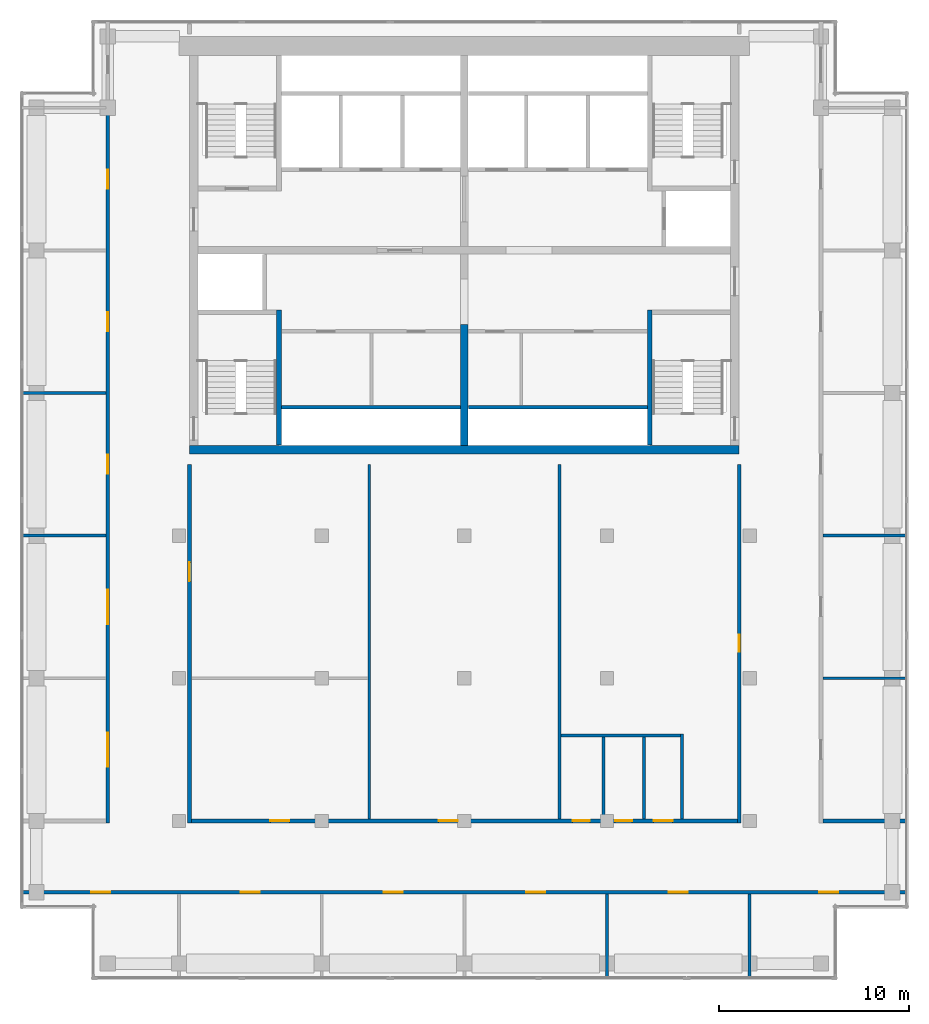
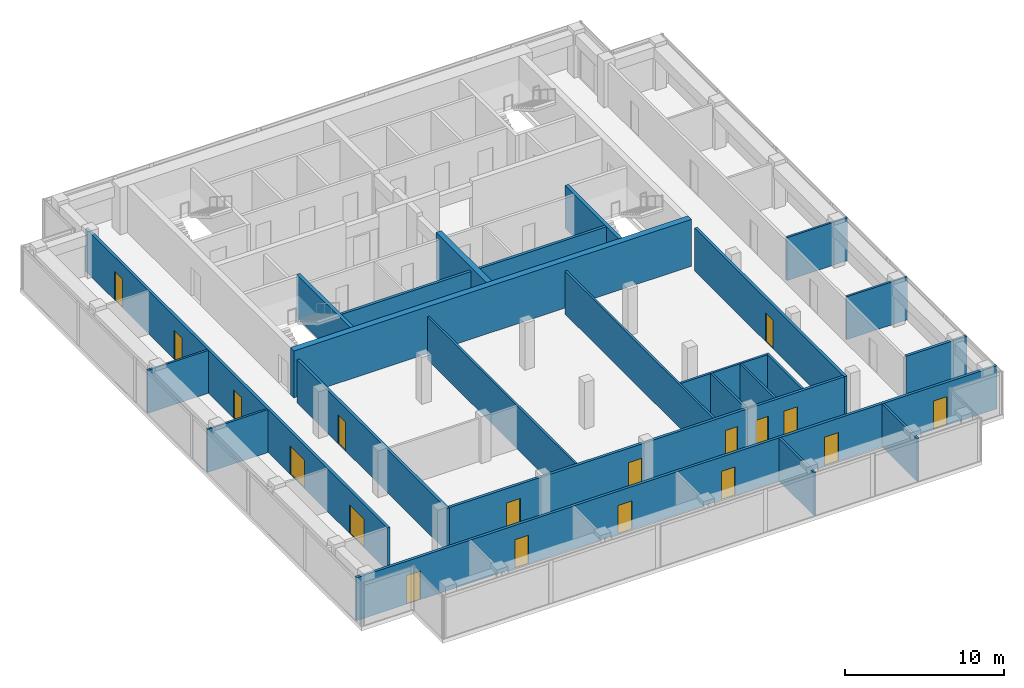
# One storey, part 6 of 9: 24 walls, 18 doors, 18 openings.
"""IFC4 building model written with IfcOpenShell, lengths in metres."""

from ifc_helpers import new_model, si_unit, direction, frame, frame_2d, origin, place, context, subcontext, project, spatial, rectangle, extrude, material, layer, layer_set, type_object, element, fill, save


model = new_model("IFC4")

# Units and contexts
model_context = context("Model", 3, precision=1e-05, world=origin(), true_north=direction((0.0, 1.0)))
body_context = subcontext(model_context, "Body", "Model", "MODEL_VIEW")
ifc_project = project(units=[si_unit("LENGTHUNIT", "METRE"), si_unit("AREAUNIT", "SQUARE_METRE"), si_unit("VOLUMEUNIT", "CUBIC_METRE"), si_unit("PLANEANGLEUNIT", "RADIAN"), si_unit("MASSUNIT", "GRAM", prefix="KILO")], contexts=[model_context])

# Site, building, storey
site_placement = place(None, origin())
site = spatial("IfcSite", under=ifc_project, at=site_placement, CompositionType="ELEMENT")
building_placement = place(site_placement, origin())
building = spatial("IfcBuilding", under=site, at=building_placement, Name="Pilkhan Gate Tower", CompositionType="ELEMENT")
storey_placement = place(building_placement, frame((0.0, 0.0, 262.10009765625)))
storey = spatial("IfcBuildingStorey", under=building, at=storey_placement, Name="L68", CompositionType="ELEMENT", Elevation=262.10009765625)

# Wall
ifc_material_1 = material(Name="Concrete C50/60", Category="concrete")
ifc_layer_1 = layer(ifc_material_1, 0.449951171875)
ifc_layer_set_1 = layer_set([ifc_layer_1], Name="Core wall CW450 C50/60")
wall_type_1 = type_object("IfcWallType", Name="Core wall CW450 C50/60", PredefinedType="SHEAR", material=ifc_layer_set_1)
wall_1_placement = place(storey_placement, frame((60.550048828125, 72.02490234375, 0.0), z_axis=(0.0, 0.0, 1.0), x_axis=(1.0, 0.0, 0.0)))
element("IfcWall", 1, at=wall_1_placement, inside=storey, type_object=wall_type_1, Name="Core wall S L68", PredefinedType="SHEAR", context=body_context, shape_type="SweptSolid", body=[
    extrude(rectangle(XDim=28.89990234375, YDim=0.449951171875, at=frame_2d((14.449951171875, 0.0))), origin(), (0.0, 0.0, 1.0), 3.599853515625),
])

# Wall, openings, doors
ifc_material_2 = material(Name="Dense blockwork", Category="masonry")
ifc_layer_2 = layer(ifc_material_2, 0.199951171875)
ifc_layer_set_2 = layer_set([ifc_layer_2], Name="Corridor wall FW200")
wall_type_2 = type_object("IfcWallType", Name="Corridor wall FW200", PredefinedType="PARTITIONING", material=ifc_layer_set_2)
wall_2_placement = place(storey_placement, frame((51.735107421875, 48.75, 0.0), z_axis=(0.0, 0.0, 1.0), x_axis=(1.0, 0.0, 0.0)))
wall_2 = element("IfcWall", 2, at=wall_2_placement, inside=storey, type_object=wall_type_2, Name="Partition L68", PredefinedType="PARTITIONING", context=body_context, shape_type="SweptSolid", body=[
    extrude(rectangle(XDim=46.52978515625, YDim=0.199951171875, at=frame_2d((23.264892578125, 0.0))), origin(), (0.0, 0.0, 1.0), 3.2998046875),
])
opening_1_placement = place(wall_2_placement, frame((3.64990234375, 0.0, 0.0)))
opening_1 = element("IfcOpeningElement", 3, at=opening_1_placement, cuts=wall_2, Name="Opening L68-15", PredefinedType="OPENING", context=body_context, shape_type="SweptSolid", body=[
    extrude(rectangle(XDim=1.0, YDim=2.199951171875, at=frame_2d((0.5, 1.10009765625))), frame((0.0, 0.10986328125, 0.0), z_axis=(0.0, -1.0, 0.0), x_axis=(1.0, 0.0, 0.0)), (0.0, 0.0, 1.0), 0.219970703125),
])
opening_2_placement = place(wall_2_placement, frame((11.514892578125, 0.0, 0.0)))
opening_2 = element("IfcOpeningElement", 4, at=opening_2_placement, cuts=wall_2, Name="Opening L68-16", PredefinedType="OPENING", context=body_context, shape_type="SweptSolid", body=[
    extrude(rectangle(XDim=1.0, YDim=2.199951171875, at=frame_2d((0.5, 1.10009765625))), frame((0.0, 0.10986328125, 0.0), z_axis=(0.0, -1.0, 0.0), x_axis=(1.0, 0.0, 0.0)), (0.0, 0.0, 1.0), 0.219970703125),
])
opening_3_placement = place(wall_2_placement, frame((19.014892578125, 0.0, 0.0)))
opening_3 = element("IfcOpeningElement", 5, at=opening_3_placement, cuts=wall_2, Name="Opening L68-17", PredefinedType="OPENING", context=body_context, shape_type="SweptSolid", body=[
    extrude(rectangle(XDim=1.0, YDim=2.199951171875, at=frame_2d((0.5, 1.10009765625))), frame((0.0, 0.10986328125, 0.0), z_axis=(0.0, -1.0, 0.0), x_axis=(1.0, 0.0, 0.0)), (0.0, 0.0, 1.0), 0.219970703125),
])
opening_4_placement = place(wall_2_placement, frame((26.514892578125, 0.0, 0.0)))
opening_4 = element("IfcOpeningElement", 6, at=opening_4_placement, cuts=wall_2, Name="Opening L68-18", PredefinedType="OPENING", context=body_context, shape_type="SweptSolid", body=[
    extrude(rectangle(XDim=1.0, YDim=2.199951171875, at=frame_2d((0.5, 1.10009765625))), frame((0.0, 0.10986328125, 0.0), z_axis=(0.0, -1.0, 0.0), x_axis=(1.0, 0.0, 0.0)), (0.0, 0.0, 1.0), 0.219970703125),
])
opening_5_placement = place(wall_2_placement, frame((34.014892578125, 0.0, 0.0)))
opening_5 = element("IfcOpeningElement", 7, at=opening_5_placement, cuts=wall_2, Name="Opening L68-19", PredefinedType="OPENING", context=body_context, shape_type="SweptSolid", body=[
    extrude(rectangle(XDim=1.0, YDim=2.199951171875, at=frame_2d((0.5, 1.10009765625))), frame((0.0, 0.10986328125, 0.0), z_axis=(0.0, -1.0, 0.0), x_axis=(1.0, 0.0, 0.0)), (0.0, 0.0, 1.0), 0.219970703125),
])
opening_6_placement = place(wall_2_placement, frame((41.9150390625, 0.0, 0.0)))
opening_6 = element("IfcOpeningElement", 8, at=opening_6_placement, cuts=wall_2, Name="Opening L68-20", PredefinedType="OPENING", context=body_context, shape_type="SweptSolid", body=[
    extrude(rectangle(XDim=1.0, YDim=2.199951171875, at=frame_2d((0.5, 1.10009765625))), frame((0.0, 0.10986328125, 0.0), z_axis=(0.0, -1.0, 0.0), x_axis=(1.0, 0.0, 0.0)), (0.0, 0.0, 1.0), 0.219970703125),
])
ifc_material_3 = material(Name="Timber flush door, 30 minute fire resisting", Category="wood")
door_type_1 = type_object("IfcDoorType", Name="Room door D03 1000x2200", OperationType="SINGLE_SWING_LEFT", PredefinedType="DOOR", material=ifc_material_3)
door_1_placement = place(opening_1_placement, origin())
door_1 = element("IfcDoor", 9, at=door_1_placement, inside=storey, type_object=door_type_1, Name="Room door", OperationType="SINGLE_SWING_LEFT", OverallHeight=2.199951171875, OverallWidth=1.0, PredefinedType="DOOR", context=body_context, shape_type="SweptSolid", body=[
    extrude(rectangle(XDim=1.0, YDim=2.199951171875, at=frame_2d((0.5, 1.10009765625))), frame((0.0, 0.02490234375, 0.0), z_axis=(0.0, -1.0, 0.0), x_axis=(1.0, 0.0, 0.0)), (0.0, 0.0, 1.0), 0.050048828125),
])
fill(opening_1, door_1)
door_2_placement = place(opening_2_placement, origin())
door_2 = element("IfcDoor", 10, at=door_2_placement, inside=storey, type_object=door_type_1, Name="Room door", OperationType="SINGLE_SWING_LEFT", OverallHeight=2.199951171875, OverallWidth=1.0, PredefinedType="DOOR", context=body_context, shape_type="SweptSolid", body=[
    extrude(rectangle(XDim=1.0, YDim=2.199951171875, at=frame_2d((0.5, 1.10009765625))), frame((0.0, 0.02490234375, 0.0), z_axis=(0.0, -1.0, 0.0), x_axis=(1.0, 0.0, 0.0)), (0.0, 0.0, 1.0), 0.050048828125),
])
fill(opening_2, door_2)
door_3_placement = place(opening_3_placement, origin())
door_3 = element("IfcDoor", 11, at=door_3_placement, inside=storey, type_object=door_type_1, Name="Room door", OperationType="SINGLE_SWING_LEFT", OverallHeight=2.199951171875, OverallWidth=1.0, PredefinedType="DOOR", context=body_context, shape_type="SweptSolid", body=[
    extrude(rectangle(XDim=1.0, YDim=2.199951171875, at=frame_2d((0.5, 1.10009765625))), frame((0.0, 0.02490234375, 0.0), z_axis=(0.0, -1.0, 0.0), x_axis=(1.0, 0.0, 0.0)), (0.0, 0.0, 1.0), 0.050048828125),
])
fill(opening_3, door_3)
door_4_placement = place(opening_4_placement, origin())
door_4 = element("IfcDoor", 12, at=door_4_placement, inside=storey, type_object=door_type_1, Name="Room door", OperationType="SINGLE_SWING_LEFT", OverallHeight=2.199951171875, OverallWidth=1.0, PredefinedType="DOOR", context=body_context, shape_type="SweptSolid", body=[
    extrude(rectangle(XDim=1.0, YDim=2.199951171875, at=frame_2d((0.5, 1.10009765625))), frame((0.0, 0.02490234375, 0.0), z_axis=(0.0, -1.0, 0.0), x_axis=(1.0, 0.0, 0.0)), (0.0, 0.0, 1.0), 0.050048828125),
])
fill(opening_4, door_4)
door_5_placement = place(opening_5_placement, origin())
door_5 = element("IfcDoor", 13, at=door_5_placement, inside=storey, type_object=door_type_1, Name="Room door", OperationType="SINGLE_SWING_LEFT", OverallHeight=2.199951171875, OverallWidth=1.0, PredefinedType="DOOR", context=body_context, shape_type="SweptSolid", body=[
    extrude(rectangle(XDim=1.0, YDim=2.199951171875, at=frame_2d((0.5, 1.10009765625))), frame((0.0, 0.02490234375, 0.0), z_axis=(0.0, -1.0, 0.0), x_axis=(1.0, 0.0, 0.0)), (0.0, 0.0, 1.0), 0.050048828125),
])
fill(opening_5, door_5)
door_6_placement = place(opening_6_placement, origin())
door_6 = element("IfcDoor", 14, at=door_6_placement, inside=storey, type_object=door_type_1, Name="Room door", OperationType="SINGLE_SWING_RIGHT", OverallHeight=2.199951171875, OverallWidth=1.0, PredefinedType="DOOR", context=body_context, shape_type="SweptSolid", body=[
    extrude(rectangle(XDim=1.0, YDim=2.199951171875, at=frame_2d((0.5, 1.10009765625))), frame((0.0, 0.02490234375, 0.0), z_axis=(0.0, -1.0, 0.0), x_axis=(1.0, 0.0, 0.0)), (0.0, 0.0, 1.0), 0.050048828125),
])
fill(opening_6, door_6)

wall_3_placement = place(storey_placement, frame((60.64990234375, 52.5, 0.0), z_axis=(0.0, 0.0, 1.0), x_axis=(1.0, 0.0, 0.0)))
wall_3 = element("IfcWall", 15, at=wall_3_placement, inside=storey, type_object=wall_type_2, Name="Partition L68", PredefinedType="PARTITIONING", context=body_context, shape_type="SweptSolid", body=[
    extrude(rectangle(XDim=28.7001953125, YDim=0.199951171875, at=frame_2d((14.35009765625, 0.0))), origin(), (0.0, 0.0, 1.0), 3.2998046875),
])
opening_7_placement = place(wall_3_placement, frame((4.14990234375, 0.0, 0.0)))
opening_7 = element("IfcOpeningElement", 16, at=opening_7_placement, cuts=wall_3, Name="Opening L68-21", PredefinedType="OPENING", context=body_context, shape_type="SweptSolid", body=[
    extrude(rectangle(XDim=1.0, YDim=2.199951171875, at=frame_2d((0.5, 1.10009765625))), frame((0.0, 0.10986328125, 0.0), z_axis=(0.0, -1.0, 0.0), x_axis=(1.0, 0.0, 0.0)), (0.0, 0.0, 1.0), 0.219970703125),
])
opening_8_placement = place(wall_3_placement, frame((13.0, 0.0, 0.0)))
opening_8 = element("IfcOpeningElement", 17, at=opening_8_placement, cuts=wall_3, Name="Opening L68-23", PredefinedType="OPENING", context=body_context, shape_type="SweptSolid", body=[
    extrude(rectangle(XDim=1.0, YDim=2.199951171875, at=frame_2d((0.5, 1.10009765625))), frame((0.0, 0.10986328125, 0.0), z_axis=(0.0, -1.0, 0.0), x_axis=(1.0, 0.0, 0.0)), (0.0, 0.0, 1.0), 0.219970703125),
])
opening_9_placement = place(wall_3_placement, frame((20.050048828125, 0.0, 0.0)))
opening_9 = element("IfcOpeningElement", 18, at=opening_9_placement, cuts=wall_3, Name="Opening L68-24", PredefinedType="OPENING", context=body_context, shape_type="SweptSolid", body=[
    extrude(rectangle(XDim=0.89990234375, YDim=2.199951171875, at=frame_2d((0.449951171875, 1.10009765625))), frame((0.0, 0.10986328125, 0.0), z_axis=(0.0, -1.0, 0.0), x_axis=(1.0, 0.0, 0.0)), (0.0, 0.0, 1.0), 0.219970703125),
])
opening_10_placement = place(wall_3_placement, frame((22.27197265625, 0.0, 0.0)))
opening_10 = element("IfcOpeningElement", 19, at=opening_10_placement, cuts=wall_3, Name="Opening L68-25", PredefinedType="OPENING", context=body_context, shape_type="SweptSolid", body=[
    extrude(rectangle(XDim=0.89990234375, YDim=2.199951171875, at=frame_2d((0.449951171875, 1.10009765625))), frame((0.0, 0.10986328125, 0.0), z_axis=(0.0, -1.0, 0.0), x_axis=(1.0, 0.0, 0.0)), (0.0, 0.0, 1.0), 0.219970703125),
])
opening_11_placement = place(wall_3_placement, frame((24.300048828125, 0.0, 0.0)))
opening_11 = element("IfcOpeningElement", 20, at=opening_11_placement, cuts=wall_3, Name="Opening L68-26", PredefinedType="OPENING", context=body_context, shape_type="SweptSolid", body=[
    extrude(rectangle(XDim=1.0, YDim=2.199951171875, at=frame_2d((0.5, 1.10009765625))), frame((0.0, 0.10986328125, 0.0), z_axis=(0.0, -1.0, 0.0), x_axis=(1.0, 0.0, 0.0)), (0.0, 0.0, 1.0), 0.219970703125),
])
ifc_material_4 = material(Name="Timber flush door, outward opening, 30 minute fire resisting", Category="wood")
door_type_2 = type_object("IfcDoorType", Name="Accessible toilet door D07 1000x2200", OperationType="SINGLE_SWING_LEFT", PredefinedType="DOOR", material=ifc_material_4)
door_7_placement = place(opening_11_placement, origin())
door_7 = element("IfcDoor", 21, at=door_7_placement, inside=storey, type_object=door_type_2, Name="Accessible toilet door", OperationType="SINGLE_SWING_RIGHT", OverallHeight=2.199951171875, OverallWidth=1.0, PredefinedType="DOOR", context=body_context, shape_type="SweptSolid", body=[
    extrude(rectangle(XDim=1.0, YDim=2.199951171875, at=frame_2d((0.5, 1.10009765625))), frame((0.0, 0.02490234375, 0.0), z_axis=(0.0, -1.0, 0.0), x_axis=(1.0, 0.0, 0.0)), (0.0, 0.0, 1.0), 0.050048828125),
])
fill(opening_11, door_7)
door_8_placement = place(opening_7_placement, origin())
door_8 = element("IfcDoor", 22, at=door_8_placement, inside=storey, type_object=door_type_1, Name="Room door", OperationType="SINGLE_SWING_LEFT", OverallHeight=2.199951171875, OverallWidth=1.0, PredefinedType="DOOR", context=body_context, shape_type="SweptSolid", body=[
    extrude(rectangle(XDim=1.0, YDim=2.199951171875, at=frame_2d((0.5, 1.10009765625))), frame((0.0, 0.02490234375, 0.0), z_axis=(0.0, -1.0, 0.0), x_axis=(1.0, 0.0, 0.0)), (0.0, 0.0, 1.0), 0.050048828125),
])
fill(opening_7, door_8)
door_9_placement = place(opening_8_placement, origin())
door_9 = element("IfcDoor", 23, at=door_9_placement, inside=storey, type_object=door_type_1, Name="Room door", OperationType="SINGLE_SWING_RIGHT", OverallHeight=2.199951171875, OverallWidth=1.0, PredefinedType="DOOR", context=body_context, shape_type="SweptSolid", body=[
    extrude(rectangle(XDim=1.0, YDim=2.199951171875, at=frame_2d((0.5, 1.10009765625))), frame((0.0, 0.02490234375, 0.0), z_axis=(0.0, -1.0, 0.0), x_axis=(1.0, 0.0, 0.0)), (0.0, 0.0, 1.0), 0.050048828125),
])
fill(opening_8, door_9)
door_type_3 = type_object("IfcDoorType", Name="Toilet door D06 900x2200", OperationType="SINGLE_SWING_LEFT", PredefinedType="DOOR", material=ifc_material_3)
door_10_placement = place(opening_9_placement, origin())
door_10 = element("IfcDoor", 24, at=door_10_placement, inside=storey, type_object=door_type_3, Name="Toilet door", OperationType="SINGLE_SWING_LEFT", OverallHeight=2.199951171875, OverallWidth=0.89990234375, PredefinedType="DOOR", context=body_context, shape_type="SweptSolid", body=[
    extrude(rectangle(XDim=0.89990234375, YDim=2.199951171875, at=frame_2d((0.449951171875, 1.10009765625))), frame((0.0, 0.02490234375, 0.0), z_axis=(0.0, -1.0, 0.0), x_axis=(1.0, 0.0, 0.0)), (0.0, 0.0, 1.0), 0.050048828125),
])
fill(opening_9, door_10)
door_11_placement = place(opening_10_placement, origin())
door_11 = element("IfcDoor", 25, at=door_11_placement, inside=storey, type_object=door_type_3, Name="Toilet door", OperationType="SINGLE_SWING_RIGHT", OverallHeight=2.199951171875, OverallWidth=0.89990234375, PredefinedType="DOOR", context=body_context, shape_type="SweptSolid", body=[
    extrude(rectangle(XDim=0.89990234375, YDim=2.199951171875, at=frame_2d((0.449951171875, 1.10009765625))), frame((0.0, 0.02490234375, 0.0), z_axis=(0.0, -1.0, 0.0), x_axis=(1.0, 0.0, 0.0)), (0.0, 0.0, 1.0), 0.050048828125),
])
fill(opening_10, door_11)

# Wall
wall_4_placement = place(storey_placement, frame((93.85009765625, 52.5, 0.0), z_axis=(0.0, 0.0, 1.0), x_axis=(1.0, 0.0, 0.0)))
element("IfcWall", 26, at=wall_4_placement, inside=storey, type_object=wall_type_2, Name="Partition L68", PredefinedType="PARTITIONING", context=body_context, shape_type="SweptSolid", body=[
    extrude(rectangle(XDim=4.414794921875, YDim=0.199951171875, at=frame_2d((2.20751953125, 0.0))), origin(), (0.0, 0.0, 1.0), 3.2998046875),
])

# Wall, openings, doors
wall_5_placement = place(storey_placement, frame((56.25, 52.39990234375, 0.0), z_axis=(0.0, 0.0, 1.0), x_axis=(0.0, 1.0, 0.0)))
wall_5 = element("IfcWall", 27, at=wall_5_placement, inside=storey, type_object=wall_type_2, Name="Partition L68", PredefinedType="PARTITIONING", context=body_context, shape_type="SweptSolid", body=[
    extrude(rectangle(XDim=38.0, YDim=0.199951171875, at=frame_2d((19.0, 0.0))), origin(), (0.0, 0.0, 1.0), 3.2998046875),
])
opening_12_placement = place(wall_5_placement, frame((2.949951171875, 0.0, 0.0)))
opening_12 = element("IfcOpeningElement", 28, at=opening_12_placement, cuts=wall_5, Name="Opening L68-06", PredefinedType="OPENING", context=body_context, shape_type="SweptSolid", body=[
    extrude(rectangle(XDim=1.800048828125, YDim=2.199951171875, at=frame_2d((0.89990234375, 1.10009765625))), frame((0.0, 0.10986328125, 0.0), z_axis=(0.0, -1.0, 0.0), x_axis=(1.0, 0.0, 0.0)), (0.0, 0.0, 1.0), 0.219970703125),
])
opening_13_placement = place(wall_5_placement, frame((10.449951171875, 0.0, 0.0)))
opening_13 = element("IfcOpeningElement", 29, at=opening_13_placement, cuts=wall_5, Name="Opening L68-07", PredefinedType="OPENING", context=body_context, shape_type="SweptSolid", body=[
    extrude(rectangle(XDim=1.800048828125, YDim=2.199951171875, at=frame_2d((0.89990234375, 1.10009765625))), frame((0.0, 0.10986328125, 0.0), z_axis=(0.0, -1.0, 0.0), x_axis=(1.0, 0.0, 0.0)), (0.0, 0.0, 1.0), 0.219970703125),
])
opening_14_placement = place(wall_5_placement, frame((18.35009765625, 0.0, 0.0)))
opening_14 = element("IfcOpeningElement", 30, at=opening_14_placement, cuts=wall_5, Name="Opening L68-28", PredefinedType="OPENING", context=body_context, shape_type="SweptSolid", body=[
    extrude(rectangle(XDim=1.0, YDim=2.199951171875, at=frame_2d((0.5, 1.10009765625))), frame((0.0, 0.10986328125, 0.0), z_axis=(0.0, -1.0, 0.0), x_axis=(1.0, 0.0, 0.0)), (0.0, 0.0, 1.0), 0.219970703125),
])
opening_15_placement = place(wall_5_placement, frame((25.85009765625, 0.0, 0.0)))
opening_15 = element("IfcOpeningElement", 31, at=opening_15_placement, cuts=wall_5, Name="Opening L68-29", PredefinedType="OPENING", context=body_context, shape_type="SweptSolid", body=[
    extrude(rectangle(XDim=1.0, YDim=2.199951171875, at=frame_2d((0.5, 1.10009765625))), frame((0.0, 0.10986328125, 0.0), z_axis=(0.0, -1.0, 0.0), x_axis=(1.0, 0.0, 0.0)), (0.0, 0.0, 1.0), 0.219970703125),
])
opening_16_placement = place(wall_5_placement, frame((33.35009765625, 0.0, 0.0)))
opening_16 = element("IfcOpeningElement", 32, at=opening_16_placement, cuts=wall_5, Name="Opening L68-30", PredefinedType="OPENING", context=body_context, shape_type="SweptSolid", body=[
    extrude(rectangle(XDim=1.0, YDim=2.199951171875, at=frame_2d((0.5, 1.10009765625))), frame((0.0, 0.10986328125, 0.0), z_axis=(0.0, -1.0, 0.0), x_axis=(1.0, 0.0, 0.0)), (0.0, 0.0, 1.0), 0.219970703125),
])
ifc_material_5 = material(Name="Timber glazed double door, 30 minute fire resisting", Category="wood")
door_type_4 = type_object("IfcDoorType", Name="Double door D04 1800x2200", OperationType="DOUBLE_DOOR_SINGLE_SWING", PredefinedType="DOOR", material=ifc_material_5)
door_12_placement = place(opening_12_placement, origin())
door_12 = element("IfcDoor", 33, at=door_12_placement, inside=storey, type_object=door_type_4, Name="Double door", OperationType="DOUBLE_DOOR_SINGLE_SWING", OverallHeight=2.199951171875, OverallWidth=1.800048828125, PredefinedType="DOOR", context=body_context, shape_type="SweptSolid", body=[
    extrude(rectangle(XDim=1.800048828125, YDim=2.199951171875, at=frame_2d((0.89990234375, 1.10009765625))), frame((0.0, 0.02490234375, 0.0), z_axis=(0.0, -1.0, 0.0), x_axis=(1.0, 0.0, 0.0)), (0.0, 0.0, 1.0), 0.050048828125),
])
fill(opening_12, door_12)
door_13_placement = place(opening_13_placement, origin())
door_13 = element("IfcDoor", 34, at=door_13_placement, inside=storey, type_object=door_type_4, Name="Double door", OperationType="DOUBLE_DOOR_SINGLE_SWING", OverallHeight=2.199951171875, OverallWidth=1.800048828125, PredefinedType="DOOR", context=body_context, shape_type="SweptSolid", body=[
    extrude(rectangle(XDim=1.800048828125, YDim=2.199951171875, at=frame_2d((0.89990234375, 1.10009765625))), frame((0.0, 0.02490234375, 0.0), z_axis=(0.0, -1.0, 0.0), x_axis=(1.0, 0.0, 0.0)), (0.0, 0.0, 1.0), 0.050048828125),
])
fill(opening_13, door_13)
door_14_placement = place(opening_14_placement, origin())
door_14 = element("IfcDoor", 35, at=door_14_placement, inside=storey, type_object=door_type_1, Name="Room door", OperationType="SINGLE_SWING_LEFT", OverallHeight=2.199951171875, OverallWidth=1.0, PredefinedType="DOOR", context=body_context, shape_type="SweptSolid", body=[
    extrude(rectangle(XDim=1.0, YDim=2.199951171875, at=frame_2d((0.5, 1.10009765625))), frame((0.0, 0.02490234375, 0.0), z_axis=(0.0, -1.0, 0.0), x_axis=(1.0, 0.0, 0.0)), (0.0, 0.0, 1.0), 0.050048828125),
])
fill(opening_14, door_14)
door_15_placement = place(opening_15_placement, origin())
door_15 = element("IfcDoor", 36, at=door_15_placement, inside=storey, type_object=door_type_1, Name="Room door", OperationType="SINGLE_SWING_RIGHT", OverallHeight=2.199951171875, OverallWidth=1.0, PredefinedType="DOOR", context=body_context, shape_type="SweptSolid", body=[
    extrude(rectangle(XDim=1.0, YDim=2.199951171875, at=frame_2d((0.5, 1.10009765625))), frame((0.0, 0.02490234375, 0.0), z_axis=(0.0, -1.0, 0.0), x_axis=(1.0, 0.0, 0.0)), (0.0, 0.0, 1.0), 0.050048828125),
])
fill(opening_15, door_15)
door_16_placement = place(opening_16_placement, origin())
door_16 = element("IfcDoor", 37, at=door_16_placement, inside=storey, type_object=door_type_1, Name="Room door", OperationType="SINGLE_SWING_LEFT", OverallHeight=2.199951171875, OverallWidth=1.0, PredefinedType="DOOR", context=body_context, shape_type="SweptSolid", body=[
    extrude(rectangle(XDim=1.0, YDim=2.199951171875, at=frame_2d((0.5, 1.10009765625))), frame((0.0, 0.02490234375, 0.0), z_axis=(0.0, -1.0, 0.0), x_axis=(1.0, 0.0, 0.0)), (0.0, 0.0, 1.0), 0.050048828125),
])
fill(opening_16, door_16)

# Wall, opening, door
wall_6_placement = place(storey_placement, frame((60.550048828125, 52.39990234375, 0.0), z_axis=(0.0, 0.0, 1.0), x_axis=(0.0, 1.0, 0.0)))
wall_6 = element("IfcWall", 38, at=wall_6_placement, inside=storey, type_object=wall_type_2, Name="Partition L68", PredefinedType="PARTITIONING", context=body_context, shape_type="SweptSolid", body=[
    extrude(rectangle(XDim=18.85009765625, YDim=0.199951171875, at=frame_2d((9.425048828125, 0.0))), origin(), (0.0, 0.0, 1.0), 3.2998046875),
])
opening_17_placement = place(wall_6_placement, frame((12.699951171875, 0.0, 0.0)))
opening_17 = element("IfcOpeningElement", 39, at=opening_17_placement, cuts=wall_6, Name="Opening L68-22", PredefinedType="OPENING", context=body_context, shape_type="SweptSolid", body=[
    extrude(rectangle(XDim=1.0, YDim=2.199951171875, at=frame_2d((0.5, 1.10009765625))), frame((0.0, 0.10986328125, 0.0), z_axis=(0.0, -1.0, 0.0), x_axis=(1.0, 0.0, 0.0)), (0.0, 0.0, 1.0), 0.219970703125),
])
door_17_placement = place(opening_17_placement, origin())
door_17 = element("IfcDoor", 40, at=door_17_placement, inside=storey, type_object=door_type_1, Name="Room door", OperationType="SINGLE_SWING_LEFT", OverallHeight=2.199951171875, OverallWidth=1.0, PredefinedType="DOOR", context=body_context, shape_type="SweptSolid", body=[
    extrude(rectangle(XDim=1.0, YDim=2.199951171875, at=frame_2d((0.5, 1.10009765625))), frame((0.0, 0.02490234375, 0.0), z_axis=(0.0, -1.0, 0.0), x_axis=(1.0, 0.0, 0.0)), (0.0, 0.0, 1.0), 0.050048828125),
])
fill(opening_17, door_17)

wall_7_placement = place(storey_placement, frame((89.449951171875, 52.39990234375, 0.0), z_axis=(0.0, 0.0, 1.0), x_axis=(0.0, 1.0, 0.0)))
wall_7 = element("IfcWall", 41, at=wall_7_placement, inside=storey, type_object=wall_type_2, Name="Partition L68", PredefinedType="PARTITIONING", context=body_context, shape_type="SweptSolid", body=[
    extrude(rectangle(XDim=18.85009765625, YDim=0.199951171875, at=frame_2d((9.425048828125, 0.0))), origin(), (0.0, 0.0, 1.0), 3.2998046875),
])
opening_18_placement = place(wall_7_placement, frame((9.0, 0.0, 0.0)))
opening_18 = element("IfcOpeningElement", 42, at=opening_18_placement, cuts=wall_7, Name="Opening L68-27", PredefinedType="OPENING", context=body_context, shape_type="SweptSolid", body=[
    extrude(rectangle(XDim=0.89990234375, YDim=2.199951171875, at=frame_2d((0.449951171875, 1.10009765625))), frame((0.0, 0.10986328125, 0.0), z_axis=(0.0, -1.0, 0.0), x_axis=(1.0, 0.0, 0.0)), (0.0, 0.0, 1.0), 0.219970703125),
])
ifc_material_6 = material(Name="Timber flush door, 60 minute fire resisting, self-closing", Category="wood")
door_type_5 = type_object("IfcDoorType", Name="Store door D05 900x2200", OperationType="SINGLE_SWING_LEFT", PredefinedType="DOOR", material=ifc_material_6)
door_18_placement = place(opening_18_placement, origin())
door_18 = element("IfcDoor", 43, at=door_18_placement, inside=storey, type_object=door_type_5, Name="Store door", OperationType="SINGLE_SWING_LEFT", OverallHeight=2.199951171875, OverallWidth=0.89990234375, PredefinedType="DOOR", context=body_context, shape_type="SweptSolid", body=[
    extrude(rectangle(XDim=0.89990234375, YDim=2.199951171875, at=frame_2d((0.449951171875, 1.10009765625))), frame((0.0, 0.02490234375, 0.0), z_axis=(0.0, -1.0, 0.0), x_axis=(1.0, 0.0, 0.0)), (0.0, 0.0, 1.0), 0.050048828125),
])
fill(opening_18, door_18)

# Walls
ifc_layer_3 = layer(ifc_material_2, 0.199951171875)
ifc_layer_set_3 = layer_set([ifc_layer_3], Name="Lobby wall LW200")
wall_type_3 = type_object("IfcWallType", Name="Lobby wall LW200", PredefinedType="PARTITIONING", material=ifc_layer_set_3)
for number, where, z_axis, x_axis, name in (
    (44, (65.375, 74.25, 0.0), (0.0, 0.0, 1.0), (1.0, 0.0, 0.0), "Partition L68"),
    (45, (75.2099609375, 74.25, 0.0), (0.0, 0.0, 1.0), (1.0, 0.0, 0.0), "Partition L68"),
):
    element("IfcWall", number, at=place(storey_placement, frame(where, z_axis=z_axis, x_axis=x_axis)), inside=storey, type_object=wall_type_3, Name=name, PredefinedType="PARTITIONING", context=body_context, shape_type="SweptSolid", body=[
        extrude(rectangle(XDim=9.4150390625, YDim=0.199951171875, at=frame_2d((4.70751953125, 0.0))), origin(), (0.0, 0.0, 1.0), 3.2998046875),
    ])
ifc_material_7 = material(Name="Blockwork partition, plastered both sides", Category="masonry")
ifc_layer_4 = layer(ifc_material_7, 0.14990234375)
ifc_layer_set_4 = layer_set([ifc_layer_4], Name="Partition PW150")
wall_type_4 = type_object("IfcWallType", Name="Partition PW150", PredefinedType="PARTITIONING", material=ifc_layer_set_4)
wall_8_placement = place(storey_placement, frame((80.074951171875, 57.0, 0.0), z_axis=(0.0, 0.0, 1.0), x_axis=(1.0, 0.0, 0.0)))
element("IfcWall", 46, at=wall_8_placement, inside=storey, type_object=wall_type_4, Name="Partition L68", PredefinedType="PARTITIONING", context=body_context, shape_type="SweptSolid", body=[
    extrude(rectangle(XDim=6.300048828125, YDim=0.14990234375, at=frame_2d((3.14990234375, 0.0))), origin(), (0.0, 0.0, 1.0), 3.2998046875),
])
for number, where, z_axis, x_axis, name in (
    (47, (93.85009765625, 60.0, 0.0), (0.0, 0.0, 1.0), (1.0, 0.0, 0.0), "Partition L68"),
    (48, (51.735107421875, 67.5, 0.0), (0.0, 0.0, 1.0), (1.0, 0.0, 0.0), "Partition L68"),
    (49, (93.85009765625, 67.5, 0.0), (0.0, 0.0, 1.0), (1.0, 0.0, 0.0), "Partition L68"),
    (50, (51.735107421875, 75.0, 0.0), (0.0, 0.0, 1.0), (1.0, 0.0, 0.0), "Partition L68"),
):
    element("IfcWall", number, at=place(storey_placement, frame(where, z_axis=z_axis, x_axis=x_axis)), inside=storey, type_object=wall_type_4, Name=name, PredefinedType="PARTITIONING", context=body_context, shape_type="SweptSolid", body=[
        extrude(rectangle(XDim=4.414794921875, YDim=0.14990234375, at=frame_2d((2.20751953125, 0.0))), origin(), (0.0, 0.0, 1.0), 3.2998046875),
    ])
for number, where, z_axis, x_axis, name in (
    (51, (70.0, 52.60009765625, 0.0), (0.0, 0.0, 1.0), (0.0, 1.0, 0.0), "Partition L68"),
    (52, (80.0, 52.60009765625, 0.0), (0.0, 0.0, 1.0), (0.0, 1.0, 0.0), "Partition L68"),
):
    element("IfcWall", number, at=place(storey_placement, frame(where, z_axis=z_axis, x_axis=x_axis)), inside=storey, type_object=wall_type_4, Name=name, PredefinedType="PARTITIONING", context=body_context, shape_type="SweptSolid", body=[
        extrude(rectangle(XDim=18.64990234375, YDim=0.14990234375, at=frame_2d((9.324951171875, 0.0))), origin(), (0.0, 0.0, 1.0), 3.2998046875),
    ])
wall_9_placement = place(storey_placement, frame((82.322021484375, 52.60009765625, 0.0), z_axis=(0.0, 0.0, 1.0), x_axis=(0.0, 1.0, 0.0)))
element("IfcWall", 53, at=wall_9_placement, inside=storey, type_object=wall_type_4, Name="Partition L68", PredefinedType="PARTITIONING", context=body_context, shape_type="SweptSolid", body=[
    extrude(rectangle(XDim=4.324951171875, YDim=0.14990234375, at=frame_2d((2.16259765625, 0.0))), origin(), (0.0, 0.0, 1.0), 3.2998046875),
])
wall_10_placement = place(storey_placement, frame((82.5, 44.235107421875, 0.0), z_axis=(0.0, 0.0, 1.0), x_axis=(0.0, 1.0, 0.0)))
element("IfcWall", 54, at=wall_10_placement, inside=storey, type_object=wall_type_4, Name="Partition L68", PredefinedType="PARTITIONING", context=body_context, shape_type="SweptSolid", body=[
    extrude(rectangle(XDim=4.414794921875, YDim=0.14990234375, at=frame_2d((2.20751953125, 0.0))), origin(), (0.0, 0.0, 1.0), 3.2998046875),
])
wall_11_placement = place(storey_placement, frame((84.449951171875, 52.60009765625, 0.0), z_axis=(0.0, 0.0, 1.0), x_axis=(0.0, 1.0, 0.0)))
element("IfcWall", 55, at=wall_11_placement, inside=storey, type_object=wall_type_4, Name="Partition L68", PredefinedType="PARTITIONING", context=body_context, shape_type="SweptSolid", body=[
    extrude(rectangle(XDim=4.324951171875, YDim=0.14990234375, at=frame_2d((2.16259765625, 0.0))), origin(), (0.0, 0.0, 1.0), 3.2998046875),
])
wall_12_placement = place(storey_placement, frame((86.449951171875, 52.60009765625, 0.0), z_axis=(0.0, 0.0, 1.0), x_axis=(0.0, 1.0, 0.0)))
element("IfcWall", 56, at=wall_12_placement, inside=storey, type_object=wall_type_4, Name="Partition L68", PredefinedType="PARTITIONING", context=body_context, shape_type="SweptSolid", body=[
    extrude(rectangle(XDim=4.474853515625, YDim=0.14990234375, at=frame_2d((2.2373046875, 0.0))), origin(), (0.0, 0.0, 1.0), 3.2998046875),
])
wall_13_placement = place(storey_placement, frame((90.0, 44.235107421875, 0.0), z_axis=(0.0, 0.0, 1.0), x_axis=(0.0, 1.0, 0.0)))
element("IfcWall", 57, at=wall_13_placement, inside=storey, type_object=wall_type_4, Name="Partition L68", PredefinedType="PARTITIONING", context=body_context, shape_type="SweptSolid", body=[
    extrude(rectangle(XDim=4.414794921875, YDim=0.14990234375, at=frame_2d((2.20751953125, 0.0))), origin(), (0.0, 0.0, 1.0), 3.2998046875),
])
ifc_layer_5 = layer(ifc_material_1, 0.39990234375)
ifc_layer_set_5 = layer_set([ifc_layer_5], Name="Spine wall SW400 C50/60")
wall_type_5 = type_object("IfcWallType", Name="Spine wall SW400 C50/60", PredefinedType="SHEAR", material=ifc_layer_set_5)
wall_14_placement = place(storey_placement, frame((75.0, 72.25, 0.0), z_axis=(0.0, 0.0, 1.0), x_axis=(0.0, 1.0, 0.0)))
element("IfcWall", 58, at=wall_14_placement, inside=storey, type_object=wall_type_5, Name="Spine wall SP-NS-S1 L68", PredefinedType="SHEAR", context=body_context, shape_type="SweptSolid", body=[
    extrude(rectangle(XDim=6.35009765625, YDim=0.39990234375, at=frame_2d((3.175048828125, 0.0))), origin(), (0.0, 0.0, 1.0), 3.599853515625),
])
ifc_material_8 = material(Name="Reinforced blockwork, 120 minute fire resisting", Category="masonry")
ifc_layer_6 = layer(ifc_material_8, 0.25)
ifc_layer_set_6 = layer_set([ifc_layer_6], Name="Stair enclosure wall SE250")
wall_type_6 = type_object("IfcWallType", Name="Stair enclosure wall SE250", PredefinedType="PARTITIONING", material=ifc_layer_set_6)
for number, where, z_axis, x_axis, name in (
    (59, (65.25, 72.260009765625, 0.0), (0.0, 0.0, 1.0), (0.0, 1.0, 0.0), "Partition L68"),
    (60, (84.75, 72.260009765625, 0.0), (0.0, 0.0, 1.0), (0.0, 1.0, 0.0), "Partition L68"),
):
    element("IfcWall", number, at=place(storey_placement, frame(where, z_axis=z_axis, x_axis=x_axis)), inside=storey, type_object=wall_type_6, Name=name, PredefinedType="PARTITIONING", context=body_context, shape_type="SweptSolid", body=[
        extrude(rectangle(XDim=7.114990234375, YDim=0.25, at=frame_2d((3.5576171875, 0.0))), origin(), (0.0, 0.0, 1.0), 3.2998046875),
    ])

save(model, "model.ifc")
